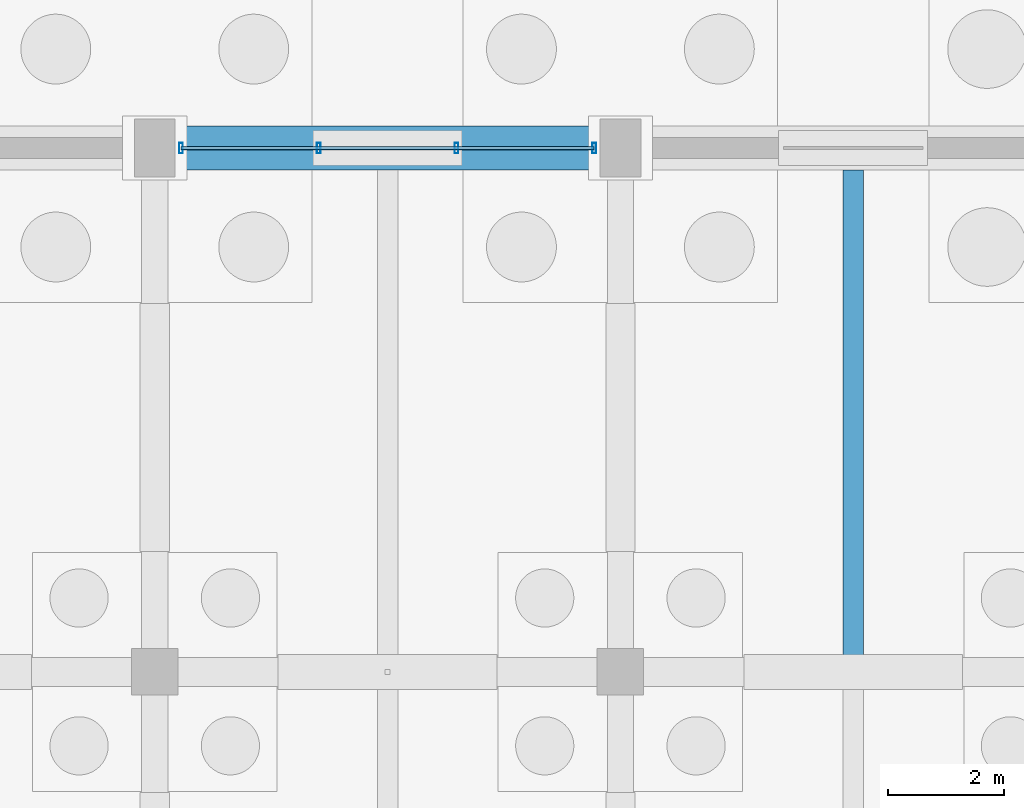
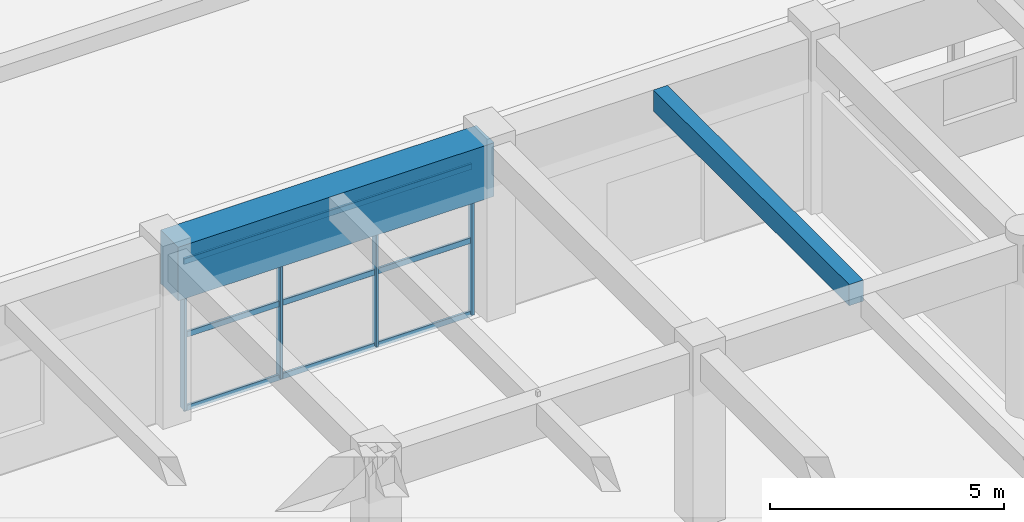
# One storey, part 42 of 147: 7 members, 2 beams, 1 element without a shape of its own.
"""IFC4 building model written with IfcOpenShell, lengths in metres."""

from ifc_helpers import new_model, si_unit, direction, frame, origin, origin_2d, place, context, subcontext, project, spatial, rectangle, hollow_rectangle, extrude, material, material_profile, profile_set, type_object, element, aggregate, save


model = new_model("IFC4")

# Units and contexts
model_context = context("Model", 3, precision=1e-05, world=origin(), true_north=direction((0.0, 1.0)))
body_context = subcontext(model_context, "Body", "Model", "MODEL_VIEW")
ifc_project = project(units=[si_unit("LENGTHUNIT", "METRE"), si_unit("AREAUNIT", "SQUARE_METRE"), si_unit("VOLUMEUNIT", "CUBIC_METRE"), si_unit("PLANEANGLEUNIT", "RADIAN"), si_unit("MASSUNIT", "GRAM", prefix="KILO")], contexts=[model_context])

# Site, building, storey
site_placement = place(None, origin())
site = spatial("IfcSite", under=ifc_project, at=site_placement, CompositionType="ELEMENT")
building_placement = place(site_placement, origin())
building = spatial("IfcBuilding", under=site, at=building_placement, Name="Varnabhumi Central Station", CompositionType="ELEMENT")
storey_placement = place(building_placement, origin())
storey = spatial("IfcBuildingStorey", under=building, at=storey_placement, Name="L00", CompositionType="ELEMENT", Elevation=0.0)

# Beams
ifc_material_1 = material(Name="Concrete M50", Category="concrete")
ifc_material_profile_1 = material_profile(ifc_material_1, rectangle(XDim=0.75, YDim=1.39990234375, at=origin_2d()), Name="Concrete M50", Category="concrete")
ifc_profile_set_1 = profile_set([ifc_material_profile_1], Name="Concrete M50")
beam_type_1 = type_object("IfcBeamType", Name="BM-RC-1400x750", PredefinedType="BEAM", material=ifc_profile_set_1)
beam_1_placement = place(storey_placement, frame((96.10009765625, 36.0, 3.85009765625), z_axis=(1.0, 0.0, 0.0), x_axis=(0.0, 1.0, 0.0)))
element("IfcBeam", 1, at=beam_1_placement, inside=storey, type_object=beam_type_1, Name="Beam L00-E:13-14", PredefinedType="BEAM", context=body_context, shape_type="SweptSolid", body=[
    extrude(rectangle(XDim=0.75, YDim=1.39990234375, at=origin_2d()), origin(), (0.0, 0.0, 1.0), 7.7998046875),
])
ifc_material_2 = material(Name="Concrete M40", Category="concrete")
ifc_material_profile_2 = material_profile(ifc_material_2, rectangle(XDim=0.35009765625, YDim=0.550048828125, at=origin_2d()), Name="Concrete M40", Category="concrete")
ifc_profile_set_2 = profile_set([ifc_material_profile_2], Name="Concrete M40")
beam_type_2 = type_object("IfcBeamType", Name="BM-RC-350x550", PredefinedType="JOIST", material=ifc_profile_set_2)
beam_2_placement = place(storey_placement, frame((108.0, 27.25, 4.27490234375), z_axis=(0.0, 1.0, 0.0), x_axis=(-1.0, 0.0, 0.0)))
element("IfcBeam", 2, at=beam_2_placement, inside=storey, type_object=beam_type_2, Name="Secondary Joist L00-14/15:D-E", PredefinedType="JOIST", context=body_context, shape_type="SweptSolid", body=[
    extrude(rectangle(XDim=0.35009765625, YDim=0.550048828125, at=origin_2d()), origin(), (0.0, 0.0, 1.0), 8.375),
])

# Curtain wall, members
ifc_material_3 = material(Name="Anodised aluminium 6063-T6", Category="aluminium")
curtain_wall_type = type_object("IfcCurtainWallType", Name="CW-SPINE-SCREEN-L0", PredefinedType="NOTDEFINED", material=ifc_material_3)
curtain_wall_placement = place(storey_placement, origin())
curtain_wall = element("IfcCurtainWall", 3, at=curtain_wall_placement, inside=storey, type_object=curtain_wall_type, Name="Curtain Wall CW-SS012", PredefinedType="NOTDEFINED")
ifc_material_profile_3 = material_profile(ifc_material_3, hollow_rectangle(XDim=0.06494140625, YDim=0.179931640625, WallThickness=0.00390625, InnerFilletRadius=0.001953125, OuterFilletRadius=0.006103515625, at=origin_2d()), Name="Anodised aluminium 6063-T6", Category="aluminium")
ifc_profile_set_3 = profile_set([ifc_material_profile_3], Name="Anodised aluminium 6063-T6")
member_type_1 = type_object("IfcMemberType", Name="CW-MUL-180", PredefinedType="MULLION", material=ifc_profile_set_3)
member_1_placement = place(storey_placement, frame((96.449951171875, 36.0, 0.0), z_axis=(0.0, 0.0, 1.0), x_axis=(1.0, 0.0, 0.0)))
member_1 = element("IfcMember", 4, at=member_1_placement, type_object=member_type_1, Name="Curtain Wall Mullion CW-SS012-M1", PredefinedType="MULLION", context=body_context, shape_type="SweptSolid", body=[
    extrude(hollow_rectangle(XDim=0.06494140625, YDim=0.179931640625, WallThickness=0.00390625, InnerFilletRadius=0.001953125, OuterFilletRadius=0.006103515625, at=origin_2d()), origin(), (0.0, 0.0, 1.0), 3.840087890625),
])
member_2_placement = place(storey_placement, frame((98.816650390625, 36.0, 0.0), z_axis=(0.0, 0.0, 1.0), x_axis=(1.0, 0.0, 0.0)))
member_2 = element("IfcMember", 5, at=member_2_placement, type_object=member_type_1, Name="Curtain Wall Mullion CW-SS012-M2", PredefinedType="MULLION", context=body_context, shape_type="SweptSolid", body=[
    extrude(hollow_rectangle(XDim=0.06494140625, YDim=0.179931640625, WallThickness=0.00390625, InnerFilletRadius=0.001953125, OuterFilletRadius=0.006103515625, at=origin_2d()), origin(), (0.0, 0.0, 1.0), 3.840087890625),
])
member_3_placement = place(storey_placement, frame((101.183349609375, 36.0, 0.0), z_axis=(0.0, 0.0, 1.0), x_axis=(1.0, 0.0, 0.0)))
member_3 = element("IfcMember", 6, at=member_3_placement, type_object=member_type_1, Name="Curtain Wall Mullion CW-SS012-M3", PredefinedType="MULLION", context=body_context, shape_type="SweptSolid", body=[
    extrude(hollow_rectangle(XDim=0.06494140625, YDim=0.179931640625, WallThickness=0.00390625, InnerFilletRadius=0.001953125, OuterFilletRadius=0.006103515625, at=origin_2d()), origin(), (0.0, 0.0, 1.0), 3.840087890625),
])
member_4_placement = place(storey_placement, frame((103.550048828125, 36.0, 0.0), z_axis=(0.0, 0.0, 1.0), x_axis=(1.0, 0.0, 0.0)))
member_4 = element("IfcMember", 7, at=member_4_placement, type_object=member_type_1, Name="Curtain Wall Mullion CW-SS012-M4", PredefinedType="MULLION", context=body_context, shape_type="SweptSolid", body=[
    extrude(hollow_rectangle(XDim=0.06494140625, YDim=0.179931640625, WallThickness=0.00390625, InnerFilletRadius=0.001953125, OuterFilletRadius=0.006103515625, at=origin_2d()), origin(), (0.0, 0.0, 1.0), 3.840087890625),
])
ifc_material_profile_4 = material_profile(ifc_material_3, hollow_rectangle(XDim=0.06005859375, YDim=0.14990234375, WallThickness=0.00390625, InnerFilletRadius=0.001953125, OuterFilletRadius=0.006103515625, at=origin_2d()), Name="Anodised aluminium 6063-T6", Category="aluminium")
ifc_profile_set_4 = profile_set([ifc_material_profile_4], Name="Anodised aluminium 6063-T6")
member_type_2 = type_object("IfcMemberType", Name="CW-TR-150", PredefinedType="USERDEFINED", material=ifc_profile_set_4)
member_5_placement = place(storey_placement, frame((96.449951171875, 36.0, 0.0), z_axis=(1.0, 0.0, 0.0), x_axis=(0.0, 1.0, 0.0)))
member_5 = element("IfcMember", 8, at=member_5_placement, type_object=member_type_2, Name="Curtain Wall Transom CW-SS012-T1", ObjectType="TRANSOM", PredefinedType="USERDEFINED", context=body_context, shape_type="SweptSolid", body=[
    extrude(hollow_rectangle(XDim=0.06005859375, YDim=0.14990234375, WallThickness=0.00390625, InnerFilletRadius=0.001953125, OuterFilletRadius=0.006103515625, at=origin_2d()), origin(), (0.0, 0.0, 1.0), 7.10009765625),
])
member_6_placement = place(storey_placement, frame((96.449951171875, 36.0, 1.919921875), z_axis=(1.0, 0.0, 0.0), x_axis=(0.0, 1.0, 0.0)))
member_6 = element("IfcMember", 9, at=member_6_placement, type_object=member_type_2, Name="Curtain Wall Transom CW-SS012-T2", ObjectType="TRANSOM", PredefinedType="USERDEFINED", context=body_context, shape_type="SweptSolid", body=[
    extrude(hollow_rectangle(XDim=0.06005859375, YDim=0.14990234375, WallThickness=0.00390625, InnerFilletRadius=0.001953125, OuterFilletRadius=0.006103515625, at=origin_2d()), origin(), (0.0, 0.0, 1.0), 7.10009765625),
])
member_7_placement = place(storey_placement, frame((96.449951171875, 36.0, 3.840087890625), z_axis=(1.0, 0.0, 0.0), x_axis=(0.0, 1.0, 0.0)))
member_7 = element("IfcMember", 10, at=member_7_placement, type_object=member_type_2, Name="Curtain Wall Transom CW-SS012-T3", ObjectType="TRANSOM", PredefinedType="USERDEFINED", context=body_context, shape_type="SweptSolid", body=[
    extrude(hollow_rectangle(XDim=0.06005859375, YDim=0.14990234375, WallThickness=0.00390625, InnerFilletRadius=0.001953125, OuterFilletRadius=0.006103515625, at=origin_2d()), origin(), (0.0, 0.0, 1.0), 7.10009765625),
])
aggregate(curtain_wall, [member_1, member_2, member_3, member_4, member_5, member_6, member_7])

save(model, "model.ifc")
